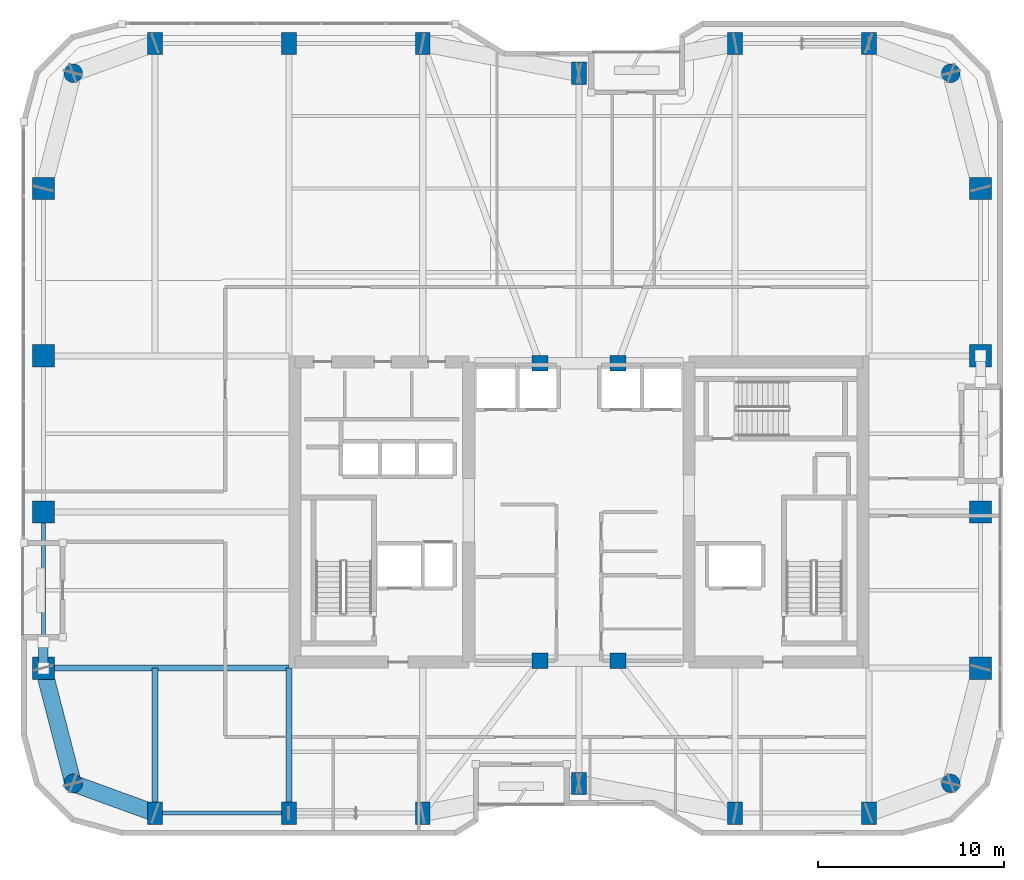
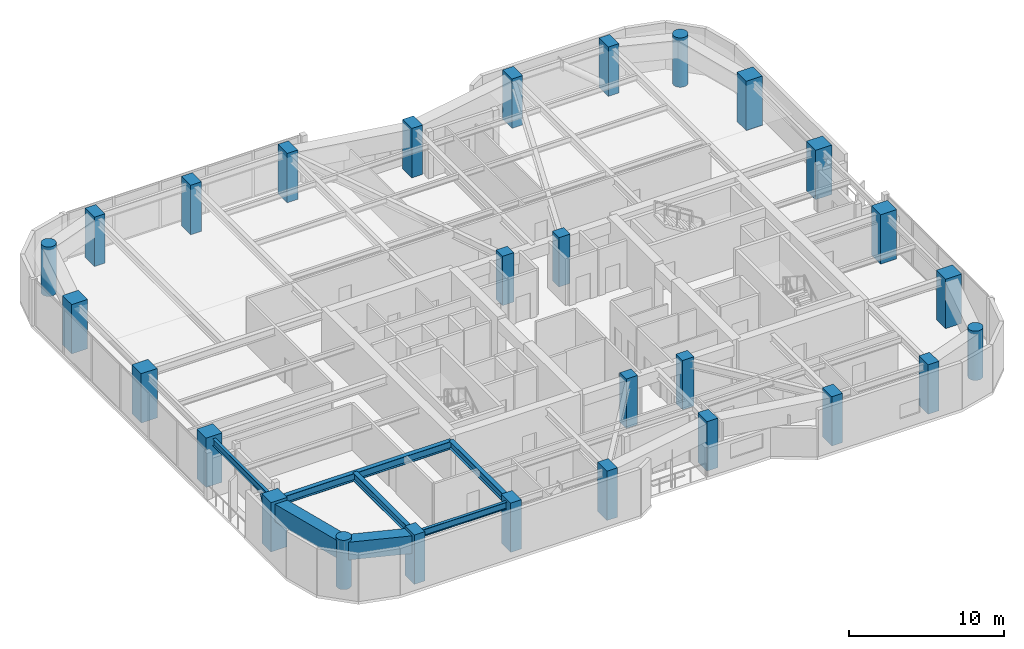
# One storey, part 1 of 30: 28 columns, 7 beams, 1 member.
"""IFC4 building model written with IfcOpenShell, lengths in metres."""

from ifc_helpers import new_model, si_unit, direction, frame, origin, origin_2d, place, context, subcontext, project, spatial, rectangle, hollow_rectangle, circle, hollow_circle, i_section, extrude, material, material_profile, profile_set, type_object, element, save


model = new_model("IFC4")

# Units and contexts
model_context = context("Model", 3, precision=1e-05, world=origin(), true_north=direction((0.0, 1.0)))
body_context = subcontext(model_context, "Body", "Model", "MODEL_VIEW")
ifc_project = project(units=[si_unit("LENGTHUNIT", "METRE"), si_unit("AREAUNIT", "SQUARE_METRE"), si_unit("VOLUMEUNIT", "CUBIC_METRE"), si_unit("PLANEANGLEUNIT", "RADIAN"), si_unit("MASSUNIT", "GRAM", prefix="KILO")], contexts=[model_context])

# Site, building, storey
site_placement = place(None, origin())
site = spatial("IfcSite", under=ifc_project, at=site_placement, CompositionType="ELEMENT")
building_placement = place(site_placement, origin())
building = spatial("IfcBuilding", under=site, at=building_placement, Name="Kiyonajd Concourse Tower", CompositionType="ELEMENT")
storey_placement = place(building_placement, frame((0.0, 0.0, 201.89990234375)))
storey = spatial("IfcBuildingStorey", under=building, at=storey_placement, Name="L51", CompositionType="ELEMENT", Elevation=201.89990234375)

# Columns
ifc_material_1 = material(Name="Concrete C70/85", Category="concrete")
ifc_material_profile_1 = material_profile(ifc_material_1, rectangle(XDim=0.800048828125, YDim=1.199951171875, at=origin_2d()), Name="RC-1200x800")
ifc_profile_set_1 = profile_set([ifc_material_profile_1], Name="Concrete C70/85")
column_type_1 = type_object("IfcColumnType", Name="CL-BLADE-1200", PredefinedType="COLUMN", material=ifc_profile_set_1)
for number, where, z_axis, x_axis, name in (
    (1, (25.199951171875, 19.800048828125, 0.0), (0.0, 0.0, 1.0), (1.0, 0.0, 0.0), "L51 Perimeter Bundled Tube Column"),
    (2, (25.199951171875, 61.199951171875, 0.0), (0.0, 0.0, 1.0), (1.0, 0.0, 0.0), "L51 Perimeter Bundled Tube Column"),
    (3, (32.39990234375, 19.800048828125, 0.0), (0.0, 0.0, 1.0), (1.0, 0.0, 0.0), "L51 Perimeter Bundled Tube Column"),
    (4, (32.39990234375, 61.199951171875, 0.0), (0.0, 0.0, 1.0), (1.0, 0.0, 0.0), "L51 Perimeter Bundled Tube Column"),
    (5, (39.60009765625, 19.800048828125, 0.0), (0.0, 0.0, 1.0), (1.0, 0.0, 0.0), "L51 Perimeter Bundled Tube Column"),
    (6, (39.60009765625, 61.199951171875, 0.0), (0.0, 0.0, 1.0), (1.0, 0.0, 0.0), "L51 Perimeter Bundled Tube Column"),
    (7, (48.0, 21.39990234375, 0.0), (0.0, 0.0, 1.0), (1.0, 0.0, 0.0), "L51 Perimeter Bundled Tube Column"),
    (8, (48.0, 59.60009765625, 0.0), (0.0, 0.0, 1.0), (1.0, 0.0, 0.0), "L51 Perimeter Bundled Tube Column"),
    (9, (56.39990234375, 19.800048828125, 0.0), (0.0, 0.0, 1.0), (1.0, 0.0, 0.0), "L51 Perimeter Bundled Tube Column"),
    (10, (56.39990234375, 61.199951171875, 0.0), (0.0, 0.0, 1.0), (1.0, 0.0, 0.0), "L51 Perimeter Bundled Tube Column"),
    (11, (63.60009765625, 19.800048828125, 0.0), (0.0, 0.0, 1.0), (1.0, 0.0, 0.0), "L51 Perimeter Bundled Tube Column"),
    (12, (63.60009765625, 61.199951171875, 0.0), (0.0, 0.0, 1.0), (1.0, 0.0, 0.0), "L51 Perimeter Bundled Tube Column"),
):
    element("IfcColumn", number, at=place(storey_placement, frame(where, z_axis=z_axis, x_axis=x_axis)), inside=storey, type_object=column_type_1, Name=name, PredefinedType="COLUMN", context=body_context, shape_type="SweptSolid", body=[
        extrude(rectangle(XDim=0.800048828125, YDim=1.199951171875, at=origin_2d()), origin(), (0.0, 0.0, 1.0), 3.900146484375),
    ])
ifc_material_2 = material(Name="Concrete C60/75", Category="concrete")
ifc_material_profile_2 = material_profile(ifc_material_2, circle(Radius=0.5, at=origin_2d()), Name="RCC-D1000")
ifc_profile_set_2 = profile_set([ifc_material_profile_2], Name="Concrete C60/75")
column_type_2 = type_object("IfcColumnType", Name="CL-RND-1000", PredefinedType="COLUMN", material=ifc_profile_set_2)
for number, where, z_axis, x_axis, name in (
    (13, (20.800048828125, 21.39990234375, 0.0), (0.0, 0.0, 1.0), (1.0, 0.0, 0.0), "L51 Bundled Tube Corner Column South West"),
    (14, (68.0, 21.39990234375, 0.0), (0.0, 0.0, 1.0), (1.0, 0.0, 0.0), "L51 Bundled Tube Corner Column South East"),
    (15, (68.0, 59.60009765625, 0.0), (0.0, 0.0, 1.0), (1.0, 0.0, 0.0), "L51 Bundled Tube Corner Column North East"),
    (16, (20.800048828125, 59.60009765625, 0.0), (0.0, 0.0, 1.0), (1.0, 0.0, 0.0), "L51 Bundled Tube Corner Column North West"),
):
    element("IfcColumn", number, at=place(storey_placement, frame(where, z_axis=z_axis, x_axis=x_axis)), inside=storey, type_object=column_type_2, Name=name, PredefinedType="COLUMN", context=body_context, shape_type="SweptSolid", body=[
        extrude(circle(Radius=0.5, at=origin_2d()), origin(), (0.0, 0.0, 1.0), 3.900146484375),
    ])
ifc_material_profile_3 = material_profile(ifc_material_1, rectangle(XDim=1.199951171875, YDim=1.199951171875, at=origin_2d()), Name="RC-1200x1200")
ifc_profile_set_3 = profile_set([ifc_material_profile_3], Name="Concrete C70/85")
column_type_3 = type_object("IfcColumnType", Name="CL-TUBE-1200", PredefinedType="COLUMN", material=ifc_profile_set_3)
for number, where, z_axis, x_axis, name in (
    (17, (19.199951171875, 27.60009765625, 0.0), (0.0, 0.0, 1.0), (1.0, 0.0, 0.0), "L51 Perimeter Bundled Tube Column"),
    (18, (69.60009765625, 27.60009765625, 0.0), (0.0, 0.0, 1.0), (1.0, 0.0, 0.0), "L51 Perimeter Bundled Tube Column"),
    (19, (19.199951171875, 36.0, 0.0), (0.0, 0.0, 1.0), (1.0, 0.0, 0.0), "L51 Perimeter Bundled Tube Column"),
    (20, (69.60009765625, 36.0, 0.0), (0.0, 0.0, 1.0), (1.0, 0.0, 0.0), "L51 Perimeter Bundled Tube Column"),
    (21, (19.199951171875, 44.39990234375, 0.0), (0.0, 0.0, 1.0), (1.0, 0.0, 0.0), "L51 Perimeter Bundled Tube Column"),
    (22, (69.60009765625, 44.39990234375, 0.0), (0.0, 0.0, 1.0), (1.0, 0.0, 0.0), "L51 Perimeter Bundled Tube Column"),
    (23, (19.199951171875, 53.39990234375, 0.0), (0.0, 0.0, 1.0), (1.0, 0.0, 0.0), "L51 Perimeter Bundled Tube Column"),
    (24, (69.60009765625, 53.39990234375, 0.0), (0.0, 0.0, 1.0), (1.0, 0.0, 0.0), "L51 Perimeter Bundled Tube Column"),
):
    element("IfcColumn", number, at=place(storey_placement, frame(where, z_axis=z_axis, x_axis=x_axis)), inside=storey, type_object=column_type_3, Name=name, PredefinedType="COLUMN", context=body_context, shape_type="SweptSolid", body=[
        extrude(rectangle(XDim=1.199951171875, YDim=1.199951171875, at=origin_2d()), origin(), (0.0, 0.0, 1.0), 3.900146484375),
    ])
ifc_material_profile_4 = material_profile(ifc_material_2, rectangle(XDim=0.85009765625, YDim=0.85009765625, at=origin_2d()), Name="RC-850x850")
ifc_profile_set_4 = profile_set([ifc_material_profile_4], Name="Concrete C60/75")
column_type_4 = type_object("IfcColumnType", Name="CL-TUBE-850", PredefinedType="COLUMN", material=ifc_profile_set_4)
for number, where, z_axis, x_axis, name in (
    (25, (45.89990234375, 28.0, 0.0), (0.0, 0.0, 1.0), (1.0, 0.0, 0.0), "L51 Core Tie Column South West"),
    (26, (50.10009765625, 28.0, 0.0), (0.0, 0.0, 1.0), (1.0, 0.0, 0.0), "L51 Core Tie Column South East"),
    (27, (45.89990234375, 44.0, 0.0), (0.0, 0.0, 1.0), (1.0, 0.0, 0.0), "L51 Core Tie Column North West"),
    (28, (50.10009765625, 44.0, 0.0), (0.0, 0.0, 1.0), (1.0, 0.0, 0.0), "L51 Core Tie Column North East"),
):
    element("IfcColumn", number, at=place(storey_placement, frame(where, z_axis=z_axis, x_axis=x_axis)), inside=storey, type_object=column_type_4, Name=name, PredefinedType="COLUMN", context=body_context, shape_type="SweptSolid", body=[
        extrude(rectangle(XDim=0.85009765625, YDim=0.85009765625, at=origin_2d()), origin(), (0.0, 0.0, 1.0), 3.900146484375),
    ])

# Beams
ifc_material_3 = material(Name="Steel ASTM A992 Grade 50", Category="steel")
ifc_material_profile_5 = material_profile(ifc_material_3, i_section(OverallWidth=0.214111328125, OverallDepth=0.549072265625, WebThickness=0.0146484375, FlangeThickness=0.023681640625, at=origin_2d()), Name="W530X138")
ifc_profile_set_5 = profile_set([ifc_material_profile_5], Name="Steel ASTM A992 Grade 50")
beam_type_1 = type_object("IfcBeamType", Name="BM-SPAN-530A", PredefinedType="SPANDREL", material=ifc_profile_set_5)
beam_1_placement = place(storey_placement, frame((25.199951171875, 19.800048828125, 3.405517578125), z_axis=(1.0, 0.0, 0.0), x_axis=(0.0, 1.0, 0.0)))
element("IfcBeam", 29, at=beam_1_placement, inside=storey, type_object=beam_type_1, Name="L51 Perimeter Bundled Tube Spandrel", PredefinedType="SPANDREL", context=body_context, shape_type="SweptSolid", body=[
    extrude(i_section(OverallWidth=0.214111328125, OverallDepth=0.549072265625, WebThickness=0.0146484375, FlangeThickness=0.023681640625, at=origin_2d()), origin(), (0.0, 0.0, 1.0), 7.199951171875),
])
beam_2_placement = place(storey_placement, frame((19.199951171875, 36.0, 3.405517578125), z_axis=(0.0, -1.0, 0.0), x_axis=(1.0, 0.0, 0.0)))
element("IfcBeam", 30, at=beam_2_placement, inside=storey, type_object=beam_type_1, Name="L51 Perimeter Bundled Tube Spandrel", PredefinedType="SPANDREL", context=body_context, shape_type="SweptSolid", body=[
    extrude(i_section(OverallWidth=0.214111328125, OverallDepth=0.549072265625, WebThickness=0.0146484375, FlangeThickness=0.023681640625, at=origin_2d()), origin(), (0.0, 0.0, 1.0), 8.39990234375),
])
ifc_material_profile_6 = material_profile(ifc_material_3, i_section(OverallWidth=0.326904296875, OverallDepth=0.6220703125, WebThickness=0.015380859375, FlangeThickness=0.0244140625, at=origin_2d()), Name="W610X195")
ifc_profile_set_6 = profile_set([ifc_material_profile_6], Name="Steel ASTM A992 Grade 50")
beam_type_2 = type_object("IfcBeamType", Name="BM-TWR-610A", PredefinedType="BEAM", material=ifc_profile_set_6)
for number, where, z_axis, x_axis, name in (
    (31, (25.199951171875, 19.800048828125, 3.369140625), (0.0, 1.0, 0.0), (-1.0, 0.0, 0.0), "L51 South Lease Girder"),
    (32, (32.39990234375, 19.800048828125, 3.369140625), (0.0, 1.0, 0.0), (-1.0, 0.0, 0.0), "L51 South Lease Girder"),
):
    element("IfcBeam", number, at=place(storey_placement, frame(where, z_axis=z_axis, x_axis=x_axis)), inside=storey, type_object=beam_type_2, Name=name, PredefinedType="BEAM", context=body_context, shape_type="SweptSolid", body=[
        extrude(i_section(OverallWidth=0.326904296875, OverallDepth=0.6220703125, WebThickness=0.015380859375, FlangeThickness=0.0244140625, at=origin_2d()), origin(), (0.0, 0.0, 1.0), 7.800048828125),
    ])
beam_3_placement = place(storey_placement, frame((19.199951171875, 27.60009765625, 3.369140625), z_axis=(1.0, 0.0, 0.0), x_axis=(0.0, 1.0, 0.0)))
element("IfcBeam", 33, at=beam_3_placement, inside=storey, type_object=beam_type_2, Name="L51 West Lease Girder", PredefinedType="BEAM", context=body_context, shape_type="SweptSolid", body=[
    extrude(i_section(OverallWidth=0.326904296875, OverallDepth=0.6220703125, WebThickness=0.015380859375, FlangeThickness=0.0244140625, at=origin_2d()), origin(), (0.0, 0.0, 1.0), 13.199951171875),
])
ifc_material_4 = material(Name="Steel ASTM A572 Grade 50", Category="steel")
ifc_material_profile_7 = material_profile(ifc_material_4, hollow_rectangle(XDim=0.89990234375, YDim=1.39990234375, WallThickness=0.070068359375, at=origin_2d()), Name="BOX-1400x900x70")
ifc_profile_set_7 = profile_set([ifc_material_profile_7], Name="Steel ASTM A572 Grade 50")
beam_type_3 = type_object("IfcBeamType", Name="BM-XFER-1400", PredefinedType="BEAM", material=ifc_profile_set_7)
beam_4_placement = place(storey_placement, frame((19.199951171875, 27.60009765625, 2.97998046875), z_axis=(0.249884937687, -0.968275538221, 0.0), x_axis=(0.968275538221, 0.249884937687, 0.0)))
element("IfcBeam", 34, at=beam_4_placement, inside=storey, type_object=beam_type_3, Name="L51 Perimeter Bundled Tube Spandrel", PredefinedType="BEAM", context=body_context, shape_type="SweptSolid", body=[
    extrude(hollow_rectangle(XDim=0.89990234375, YDim=1.39990234375, WallThickness=0.070068359375, at=origin_2d()), origin(), (0.0, 0.0, 1.0), 6.4033203125),
])
beam_5_placement = place(storey_placement, frame((20.800048828125, 21.39990234375, 2.97998046875), z_axis=(0.939801036019, -0.341722127901, 0.0), x_axis=(0.341722127901, 0.939801036019, 0.0)))
element("IfcBeam", 35, at=beam_5_placement, inside=storey, type_object=beam_type_3, Name="L51 Perimeter Bundled Tube Spandrel", PredefinedType="BEAM", context=body_context, shape_type="SweptSolid", body=[
    extrude(hollow_rectangle(XDim=0.89990234375, YDim=1.39990234375, WallThickness=0.070068359375, at=origin_2d()), origin(), (0.0, 0.0, 1.0), 4.681640625),
])

# Member
ifc_material_5 = material(Name="Steel ASTM A500 Grade C", Category="steel")
ifc_material_profile_8 = material_profile(ifc_material_5, hollow_circle(Radius=0.25390625, WallThickness=0.02197265625, at=origin_2d()), Name="CHS-508x22")
ifc_profile_set_8 = profile_set([ifc_material_profile_8], Name="Steel ASTM A500 Grade C")
member_type = type_object("IfcMemberType", Name="MB-PB-MID", PredefinedType="BRACE", material=ifc_profile_set_8)
member_placement = place(storey_placement, frame((19.199951171875, 27.60009765625, 0.300048828125), z_axis=(0.0, 0.419410666774, 0.907796614114), x_axis=(-1.0, 0.0, 0.0)))
element("IfcMember", 36, at=member_placement, inside=storey, type_object=member_type, Name="L51 Upper Zone Hollow Tube Brace PBW", PredefinedType="BRACE", context=body_context, shape_type="SweptSolid", body=[
    extrude(hollow_circle(Radius=0.25390625, WallThickness=0.02197265625, at=origin_2d()), origin(), (0.0, 0.0, 1.0), 3.337890625),
])

save(model, "model.ifc")
